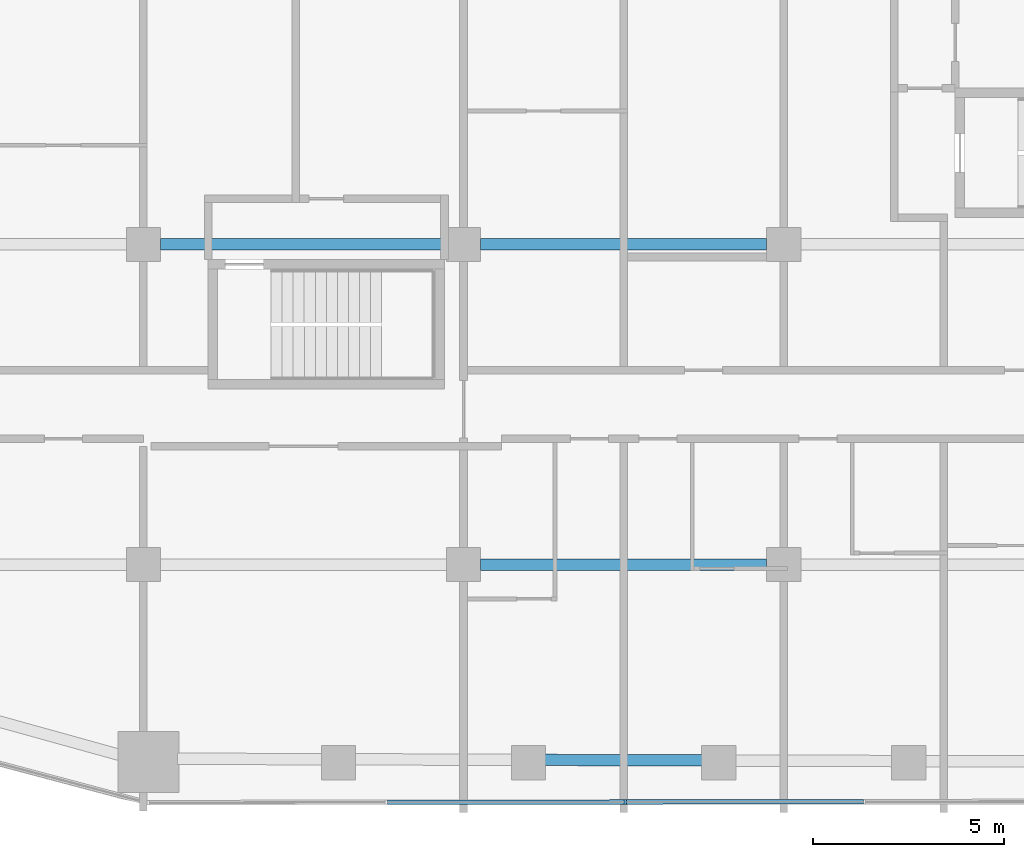
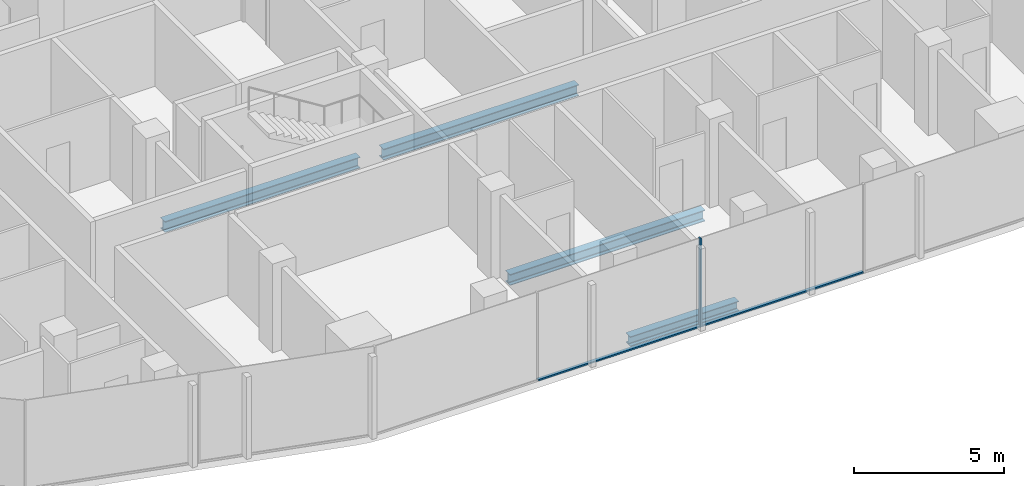
# One storey, part 3 of 23: 4 beams, 3 members, 1 element without a shape of its own.
"""IFC4 building model written with IfcOpenShell, lengths in metres."""

import ifcopenshell
import ifcopenshell.guid

model = None  # the IFC model being written
_history = None  # IfcOwnerHistory: only IFC2X3 demands one
_inside = {}  # id of a spatial element -> (the spatial element, [elements in it])
_under = {}  # id of a project, library or spatial element -> (it, [spatial elements below it])
_declared = {}  # id of a project -> (the project, [libraries it declares])
_typed = {}  # id of a type object -> (the type object, [elements of that type])
_made_of = {}  # id of a material, layer set ... -> (it, [elements and type objects made of it])


def new_model(schema):
    """Start an empty IFC model of exactly this schema.

    Asked for "IFC4X3", IfcOpenShell would pick the latest addendum, in which some entities
    have other attributes; the version numbers below select the first issue.
    IFC2X3 requires an IfcOwnerHistory on every rooted entity: one is made here for all.
    """
    global model, _history
    if schema == "IFC4X3":
        model = ifcopenshell.file(schema_version=(4, 3, 0, 0))
    else:
        model = ifcopenshell.file(schema=schema)
    _inside.clear()
    _under.clear()
    _declared.clear()
    _typed.clear()
    _made_of.clear()
    _history = None
    if model.schema == "IFC2X3":
        org = make("IfcOrganization", Name="unknown")
        user = make(
            "IfcPersonAndOrganization",
            ThePerson=make("IfcPerson", FamilyName="unknown"),
            TheOrganization=org,
        )
        app = make(
            "IfcApplication",
            ApplicationDeveloper=org,
            Version="unknown",
            ApplicationFullName="unknown",
            ApplicationIdentifier="unknown",
        )
        _history = make(
            "IfcOwnerHistory",
            OwningUser=user,
            OwningApplication=app,
            ChangeAction="ADDED",
            CreationDate=0,
        )
    return model


def make(cls, **values):
    """One entity of the class cls with the attributes given. An attribute that is None is left unset."""
    return model.create_entity(
        cls, **{name: value for name, value in values.items() if value is not None}
    )


def rooted(cls, **values):
    """An entity with a GlobalId (a new one), such as an element, a storey or a relation."""
    return make(cls, GlobalId=ifcopenshell.guid.new(), OwnerHistory=_history, **values)


def si_unit(unit_type, name, prefix=None):
    """IfcSIUnit, for example si_unit("LENGTHUNIT", "METRE", prefix="MILLI")."""
    return make("IfcSIUnit", UnitType=unit_type, Prefix=prefix, Name=name)


def assignment(units):
    """IfcUnitAssignment: the units of a project."""
    return None if units is None else make("IfcUnitAssignment", Units=units)


def point(xyz):
    """IfcCartesianPoint."""
    return None if xyz is None else make("IfcCartesianPoint", Coordinates=xyz)


def direction(xyz):
    """IfcDirection."""
    return None if xyz is None else make("IfcDirection", DirectionRatios=xyz)


def frame(location, z_axis=None, x_axis=None):
    """IfcAxis2Placement3D, a coordinate frame: its origin and axes. An axis left out is left unset."""
    return make(
        "IfcAxis2Placement3D",
        Location=point(location),
        Axis=direction(z_axis),
        RefDirection=direction(x_axis),
    )


def frame_2d(location, x_axis=None):
    """IfcAxis2Placement2D, a coordinate frame in the plane: its origin and x axis."""
    return make(
        "IfcAxis2Placement2D", Location=point(location), RefDirection=direction(x_axis)
    )


def origin():
    """The frame at (0, 0, 0) with its axes left unset."""
    return frame((0.0, 0.0, 0.0))


def origin_2d():
    """The frame at (0, 0) in the plane with its x axis left unset."""
    return frame_2d((0.0, 0.0))


def place(relative_to, where):
    """IfcLocalPlacement: puts the frame where relative to a parent placement (None: the world)."""
    return make(
        "IfcLocalPlacement", PlacementRelTo=relative_to, RelativePlacement=where
    )


def context(
    kind, dimensions, precision=None, world=None, true_north=None, identifier=None
):
    """IfcGeometricRepresentationContext, for example the 3D "Model" context."""
    return make(
        "IfcGeometricRepresentationContext",
        ContextIdentifier=identifier,
        ContextType=kind,
        CoordinateSpaceDimension=dimensions,
        Precision=precision,
        WorldCoordinateSystem=world,
        TrueNorth=true_north,
    )


def subcontext(parent, identifier, kind, view, scale=None):
    """IfcGeometricRepresentationSubContext, for example "Body" below "Model"."""
    return make(
        "IfcGeometricRepresentationSubContext",
        ContextIdentifier=identifier,
        ContextType=kind,
        ParentContext=parent,
        TargetScale=scale,
        TargetView=view,
    )


def project(units=None, contexts=None):
    """IfcProject with its units and contexts."""
    return rooted(
        "IfcProject",
        Name="project",
        RepresentationContexts=contexts,
        UnitsInContext=assignment(units),
    )


def spatial(cls, under=None, at=None, **own):
    """A site, building, storey or space (cls), placed at a placement, below another one or the project."""
    s = rooted(cls, ObjectPlacement=at, **own)
    if under is not None:
        _under.setdefault(under.id(), (under, []))[1].append(s)
    return s


def profile(cls, at=None, kind="AREA", **sizes):
    """A parametric profile (cls). Its sizes go by their IFC names, for example OverallWidth=200.0."""
    return make(cls, ProfileType=kind, Position=at, **sizes)


def rectangle(**sizes):
    """IfcRectangleProfileDef."""
    return profile("IfcRectangleProfileDef", **sizes)


def i_section(**sizes):
    """IfcIShapeProfileDef."""
    return profile("IfcIShapeProfileDef", **sizes)


def extrude(swept, where, along, depth):
    """IfcExtrudedAreaSolid: the profile swept, set in the frame where, extruded along a direction by depth."""
    return make(
        "IfcExtrudedAreaSolid",
        SweptArea=swept,
        Position=where,
        ExtrudedDirection=direction(along),
        Depth=depth,
    )


def shape(context_of_items, identifier, shape_type, items):
    """IfcShapeRepresentation: the items that make up one representation, for example the "Body"."""
    return make(
        "IfcShapeRepresentation",
        ContextOfItems=context_of_items,
        RepresentationIdentifier=identifier,
        RepresentationType=shape_type,
        Items=items,
    )


def material(Name=None, Category=None):
    """IfcMaterial."""
    return make("IfcMaterial", Name=Name, Category=Category)


def layer(
    of_material, thickness, ventilated=None, Name=None, Category=None, Priority=None
):
    """IfcMaterialLayer: one layer of a wall or slab, of a material (None: an air gap)."""
    return make(
        "IfcMaterialLayer",
        Material=of_material,
        LayerThickness=thickness,
        IsVentilated=ventilated,
        Name=Name,
        Category=Category,
        Priority=Priority,
    )


def layer_set(layers, Name=None):
    """IfcMaterialLayerSet."""
    return make("IfcMaterialLayerSet", MaterialLayers=layers, LayerSetName=Name)


def material_profile(
    of_material, cross_section, Name=None, Category=None, Priority=None
):
    """IfcMaterialProfile: a cross section and its material."""
    return make(
        "IfcMaterialProfile",
        Name=Name,
        Material=of_material,
        Profile=cross_section,
        Priority=Priority,
        Category=Category,
    )


def profile_set(profiles, Name=None, composite=None):
    """IfcMaterialProfileSet."""
    return make(
        "IfcMaterialProfileSet",
        Name=Name,
        MaterialProfiles=profiles,
        CompositeProfile=composite,
    )


def made_of(thing, what):
    """Note that an element or type object is made of a material, layer set ...; save() writes the relation."""
    if what is not None:
        _made_of.setdefault(what.id(), (what, []))[1].append(thing)
    return thing


def type_object(cls, material=None, **own):
    """A type object (cls), such as IfcWallType, which elements share."""
    return made_of(rooted(cls, **own), material)


def element(
    cls,
    number,
    at=None,
    inside=None,
    cuts=None,
    type_object=None,
    material=None,
    context=None,
    identifier="Body",
    shape_type=None,
    held_by="IfcProductDefinitionShape",
    body=None,
    shapes=None,
    **own,
):
    """One element of the class cls, such as IfcWall. Its Tag is "e" and its number.

    at: its placement. inside: the storey or other place that contains it. cuts: it is an
    opening in that element (IfcRelVoidsElement). A single representation is given by context,
    identifier, shape_type and body (its items); several are given by shapes. held_by: the class
    of the entity that holds the representations. save() writes the other relations.
    """
    e = rooted(cls, Tag="e%d" % number, ObjectPlacement=at, **own)
    if body is not None:
        shapes = [shape(context, identifier, shape_type, body)]
    if shapes is not None:
        e.Representation = make(held_by, Representations=shapes)
    if inside is not None:
        _inside.setdefault(inside.id(), (inside, []))[1].append(e)
    if cuts is not None:
        rooted(
            "IfcRelVoidsElement", RelatingBuildingElement=cuts, RelatedOpeningElement=e
        )
    if type_object is not None:
        _typed.setdefault(type_object.id(), (type_object, []))[1].append(e)
    return made_of(e, material)


def aggregate(whole, parts):
    """IfcRelAggregates: a whole, such as a stair, and the parts it consists of."""
    return rooted("IfcRelAggregates", RelatingObject=whole, RelatedObjects=parts)


def save(model, path):
    """Write the relations noted so far, then the file.

    IfcRelAggregates (storeys below a building ...), IfcRelContainedInSpatialStructure (elements
    in a storey), IfcRelDefinesByType, IfcRelAssociatesMaterial and IfcRelDeclares: one each for
    every whole, place, type object, material and project.
    """
    for whole, parts in _under.values():
        aggregate(whole, parts)
    for where, things in _inside.values():
        rooted(
            "IfcRelContainedInSpatialStructure",
            RelatedElements=things,
            RelatingStructure=where,
        )
    for kind, things in _typed.values():
        rooted("IfcRelDefinesByType", RelatedObjects=things, RelatingType=kind)
    for what, things in _made_of.values():
        rooted("IfcRelAssociatesMaterial", RelatedObjects=things, RelatingMaterial=what)
    for by, libraries in _declared.values():
        rooted("IfcRelDeclares", RelatingContext=by, RelatedDefinitions=libraries)
    model.write(path)


model = new_model("IFC4")

# Units and contexts
model_context = context("Model", 3, precision=1e-05, world=origin(), true_north=direction((0.0, 1.0)))
body_context = subcontext(model_context, "Body", "Model", "MODEL_VIEW")
ifc_project = project(units=[si_unit("LENGTHUNIT", "METRE"), si_unit("AREAUNIT", "SQUARE_METRE"), si_unit("VOLUMEUNIT", "CUBIC_METRE"), si_unit("PLANEANGLEUNIT", "RADIAN"), si_unit("MASSUNIT", "GRAM", prefix="KILO")], contexts=[model_context])

# Site, building, storey
site_placement = place(None, origin())
site = spatial("IfcSite", under=ifc_project, at=site_placement, CompositionType="ELEMENT")
building_placement = place(site_placement, origin())
building = spatial("IfcBuilding", under=site, at=building_placement, Name="Marenta Gate Hotel Tower", CompositionType="ELEMENT")
storey_placement = place(building_placement, frame((0.0, 0.0, 140.89990234375)))
storey = spatial("IfcBuildingStorey", under=building, at=storey_placement, Name="L32", CompositionType="ELEMENT", Elevation=140.89990234375)

# Beams
ifc_material_1 = material(Name="Steel S355", Category="steel")
ifc_material_profile_1 = material_profile(ifc_material_1, i_section(OverallWidth=0.300048828125, OverallDepth=0.39990234375, WebThickness=0.013427734375, FlangeThickness=0.02392578125, FilletRadius=0.027099609375, at=origin_2d()), Name="HEB 400")
ifc_profile_set_1 = profile_set([ifc_material_profile_1], Name="Steel S355")
beam_type_1 = type_object("IfcBeamType", Name="Edge beam HEB 400", PredefinedType="SPANDREL", material=ifc_profile_set_1)
beam_placement = place(storey_placement, frame((2.08349609375, -21.939453125, -0.4599609375), z_axis=(-0.999994808095, 0.003222387769, 0.0), x_axis=(-0.003222387769, -0.999994808095, 0.0)))
element("IfcBeam", 1, at=beam_placement, inside=storey, type_object=beam_type_1, Name="L32-EB-34", PredefinedType="SPANDREL", context=body_context, shape_type="SweptSolid", body=[
    extrude(i_section(OverallWidth=0.300048828125, OverallDepth=0.39990234375, WebThickness=0.013427734375, FlangeThickness=0.02392578125, FilletRadius=0.027099609375, at=origin_2d()), origin(), (0.0, 0.0, 1.0), 4.1669921875),
])
ifc_material_2 = material(Name="Steel S355", Category="steel")
ifc_material_profile_2 = material_profile(ifc_material_2, i_section(OverallWidth=0.300048828125, OverallDepth=0.449951171875, WebThickness=0.013916015625, FlangeThickness=0.02587890625, FilletRadius=0.027099609375, at=origin_2d()), Name="HEB 450")
ifc_profile_set_2 = profile_set([ifc_material_profile_2], Name="Steel S355")
beam_type_2 = type_object("IfcBeamType", Name="Girder HEB 450", PredefinedType="BEAM", material=ifc_profile_set_2)
for number, where, z_axis, x_axis, name in (
    (2, (-3.75, -16.800048828125, -0.48486328125), (1.0, 0.0, 0.0), (0.0, 1.0, 0.0), "L32-GD-4"),
    (3, (-12.14990234375, -8.39990234375, -0.48486328125), (1.0, 0.0, 0.0), (0.0, 1.0, 0.0), "L32-GD-10"),
    (4, (-3.75, -8.39990234375, -0.48486328125), (1.0, 0.0, 0.0), (0.0, 1.0, 0.0), "L32-GD-11"),
):
    element("IfcBeam", number, at=place(storey_placement, frame(where, z_axis=z_axis, x_axis=x_axis)), inside=storey, type_object=beam_type_2, Name=name, PredefinedType="BEAM", context=body_context, shape_type="SweptSolid", body=[
        extrude(i_section(OverallWidth=0.300048828125, OverallDepth=0.449951171875, WebThickness=0.013916015625, FlangeThickness=0.02587890625, FilletRadius=0.027099609375, at=origin_2d()), origin(), (0.0, 0.0, 1.0), 7.5),
    ])

# Curtain wall, members
ifc_material_3 = material(Name="Tinted insulated glass in bronze anodised frame", Category="glass")
ifc_layer = layer(ifc_material_3, 0.1201171875)
ifc_layer_set = layer_set([ifc_layer], Name="Tinted insulated glass in bronze anodised frame")
curtain_wall_type = type_object("IfcCurtainWallType", Name="Tower unitised curtain wall CW1", PredefinedType="NOTDEFINED", material=ifc_layer_set)
curtain_wall_placement = place(storey_placement, origin())
curtain_wall = element("IfcCurtainWall", 5, at=curtain_wall_placement, inside=storey, type_object=curtain_wall_type, Name="CW1 run G07", PredefinedType="NOTDEFINED")
ifc_material_4 = material(Name="Bronze anodised aluminium", Category="aluminium")
ifc_material_profile_3 = material_profile(ifc_material_4, rectangle(XDim=0.1201171875, YDim=0.06005859375, at=origin_2d()), Name="Mullion CW1 60x120 bronze anodised aluminium")
ifc_profile_set_3 = profile_set([ifc_material_profile_3], Name="Bronze anodised aluminium")
member_type_1 = type_object("IfcMemberType", Name="Mullion CW1 60x120 bronze anodised aluminium", PredefinedType="MULLION", material=ifc_profile_set_3)
member_1_placement = place(storey_placement, frame((0.0458984375, -23.030517578125, 0.0), z_axis=(0.0, 0.0, 1.0), x_axis=(-0.001362347707, 0.999999072004, 0.0)))
member_1 = element("IfcMember", 6, at=member_1_placement, type_object=member_type_1, Name="CW1 mullion 3", PredefinedType="MULLION", context=body_context, shape_type="SweptSolid", body=[
    extrude(rectangle(XDim=0.1201171875, YDim=0.06005859375, at=origin_2d()), origin(), (0.0, 0.0, 1.0), 3.60009765625),
])
ifc_material_5 = material(Name="Bronze anodised aluminium", Category="aluminium")
ifc_material_profile_4 = material_profile(ifc_material_5, rectangle(XDim=0.1201171875, YDim=0.06005859375, at=origin_2d()), Name="Transom CW1 60x120 bronze anodised aluminium")
ifc_profile_set_4 = profile_set([ifc_material_profile_4], Name="Bronze anodised aluminium")
member_type_2 = type_object("IfcMemberType", Name="Transom CW1 60x120 bronze anodised aluminium", PredefinedType="USERDEFINED", material=ifc_profile_set_4)
member_2_placement = place(storey_placement, frame((-6.199951171875, -23.038818359375, 0.030029296875), z_axis=(0.999999108317, 0.001335426932, 0.0), x_axis=(-0.001335426932, 0.999999108317, 0.0)))
member_2 = element("IfcMember", 7, at=member_2_placement, type_object=member_type_2, Name="CW1 transom 2.1", ObjectType="TRANSOM", PredefinedType="USERDEFINED", context=body_context, shape_type="SweptSolid", body=[
    extrude(rectangle(XDim=0.1201171875, YDim=0.06005859375, at=origin_2d()), origin(), (0.0, 0.0, 1.0), 6.2158203125),
])
member_3_placement = place(storey_placement, frame((0.075927734375, -23.0302734375, 0.030029296875), z_axis=(0.999999108387, 0.001335374482, 0.0), x_axis=(-0.001335374482, 0.999999108387, 0.0)))
member_3 = element("IfcMember", 8, at=member_3_placement, type_object=member_type_2, Name="CW1 transom 3.1", ObjectType="TRANSOM", PredefinedType="USERDEFINED", context=body_context, shape_type="SweptSolid", body=[
    extrude(rectangle(XDim=0.1201171875, YDim=0.06005859375, at=origin_2d()), origin(), (0.0, 0.0, 1.0), 6.216064453125),
])
aggregate(curtain_wall, [member_1, member_2, member_3])

save(model, "model.ifc")
